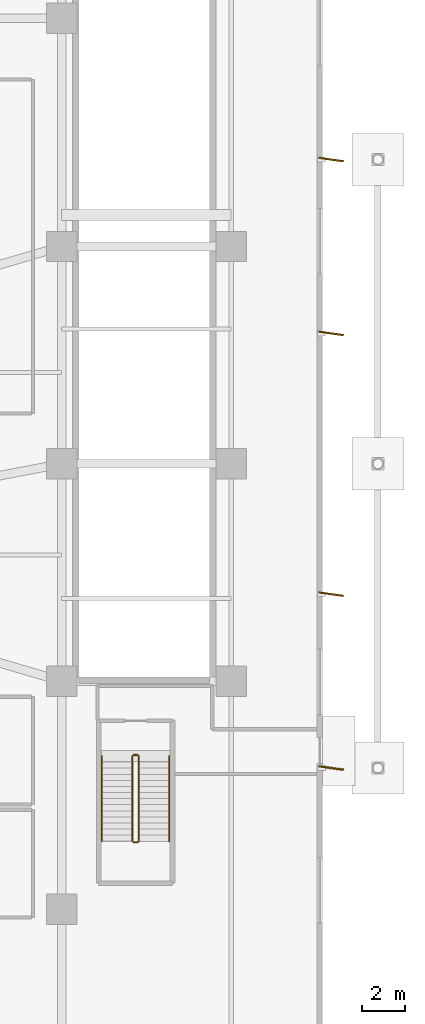
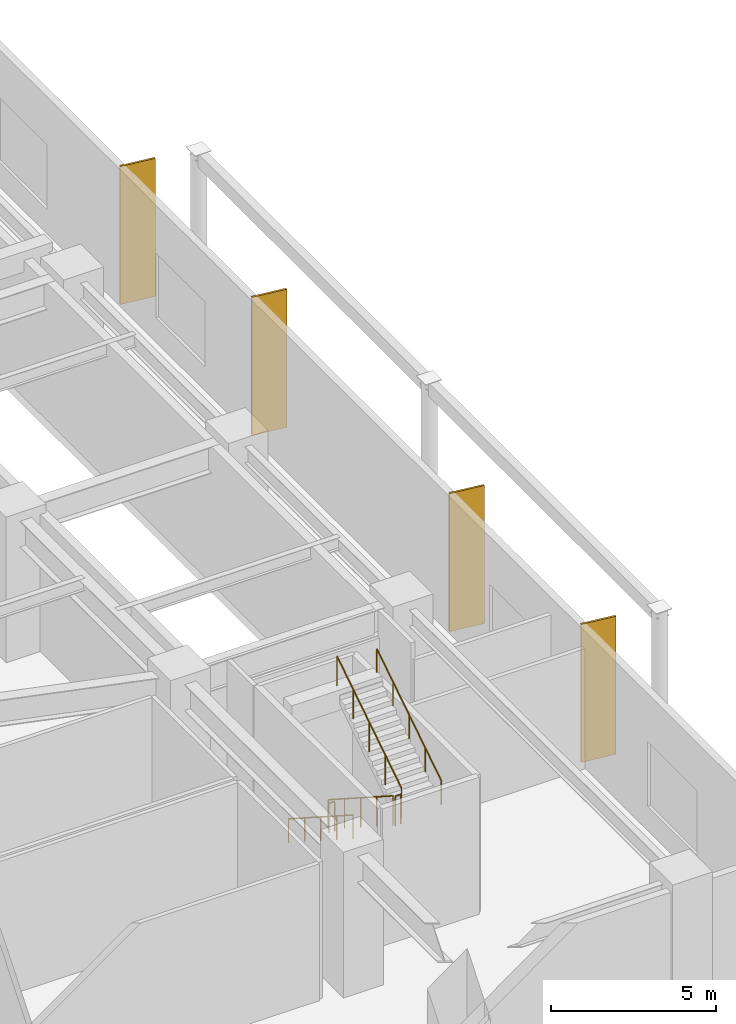
# One storey, part 19 of 20: 6 railings, 4 shading devices.
"""IFC4 building model written with IfcOpenShell, lengths in metres."""

from ifc_helpers import new_model, si_unit, direction, frame, origin, origin_2d, place, context, subcontext, project, spatial, rectangle, circle, extrude, material, layer, layer_set, type_object, element, save


model = new_model("IFC4")

# Units and contexts
model_context = context("Model", 3, precision=1e-05, world=origin(), true_north=direction((0.0, 1.0)))
body_context = subcontext(model_context, "Body", "Model", "MODEL_VIEW")
ifc_project = project(units=[si_unit("LENGTHUNIT", "METRE"), si_unit("AREAUNIT", "SQUARE_METRE"), si_unit("VOLUMEUNIT", "CUBIC_METRE"), si_unit("PLANEANGLEUNIT", "RADIAN"), si_unit("MASSUNIT", "GRAM", prefix="KILO")], contexts=[model_context])

# Site, building, storey
site_placement = place(None, origin())
site = spatial("IfcSite", under=ifc_project, at=site_placement, CompositionType="ELEMENT")
building_placement = place(site_placement, origin())
building = spatial("IfcBuilding", under=site, at=building_placement, Name="Solmarez Civic Tower", CompositionType="ELEMENT")
storey_placement = place(building_placement, origin())
storey = spatial("IfcBuildingStorey", under=building, at=storey_placement, Name="L00", CompositionType="ELEMENT", Elevation=0.0)

# Shading devices
ifc_material_1 = material(Name="Bronze Anodised Aluminium EN AW-6063 T6", Category="aluminium")
ifc_layer = layer(ifc_material_1, 0.070068359375)
ifc_layer_set = layer_set([ifc_layer], Name="Bronze Anodised Aluminium EN AW-6063 T6")
shading_device_type = type_object("IfcShadingDeviceType", Name="FIN-BRONZE-POD", PredefinedType="USERDEFINED", material=ifc_layer_set)
for number, where, z_axis, x_axis, name in (
    (1, (36.39501953125, -14.0, -0.0400390625), (0.0, 0.0, 1.0), (0.990983199715, -0.133986185418, 0.0), "L00 Anodised Bronze Solar Fin FIN-L00-E1"),
    (2, (36.39501953125, -6.0, -0.0400390625), (0.0, 0.0, 1.0), (0.990983199715, -0.133986185418, 0.0), "L00 Anodised Bronze Solar Fin FIN-L00-E2"),
    (3, (36.39501953125, 6.0, -0.0400390625), (0.0, 0.0, 1.0), (0.990983199715, -0.133986185418, 0.0), "L00 Anodised Bronze Solar Fin FIN-L00-E3"),
    (4, (36.39501953125, 14.0, -0.0400390625), (0.0, 0.0, 1.0), (0.990983199715, -0.133986185418, 0.0), "L00 Anodised Bronze Solar Fin FIN-L00-E4"),
):
    element("IfcShadingDevice", number, at=place(storey_placement, frame(where, z_axis=z_axis, x_axis=x_axis)), inside=storey, type_object=shading_device_type, Name=name, ObjectType="FIN", PredefinedType="USERDEFINED", context=body_context, shape_type="SweptSolid", body=[
        extrude(rectangle(XDim=1.14990234375, YDim=0.070068359375, at=origin_2d()), origin(), (0.0, 0.0, 1.0), 5.1201171875),
    ])

# Railings
ifc_material_2 = material(Name="Painted Steel Stairwell Safety Guard", Category="steel")
railing_type_1 = type_object("IfcRailingType", Name="GUARD-STAIR-1120", PredefinedType="BALUSTRADE", material=ifc_material_2)
railing_1_placement = place(storey_placement, frame((27.25, -13.449951171875, 0.179931640625)))
element("IfcRailing", 5, at=railing_1_placement, inside=storey, type_object=railing_type_1, Name="L00 ST-P2 stair guard 1", PredefinedType="BALUSTRADE", context=body_context, shape_type="SweptSolid", body=[
    extrude(circle(Radius=0.02392578125, at=origin_2d()), frame((0.0, 0.0, 1.09619140625), z_axis=(0.0, -0.841186985886, 0.540744352514), x_axis=(1.0, 0.0, 0.0)), (0.0, 0.0, 1.0), 4.660400390625),
    extrude(circle(Radius=0.02099609375, at=origin_2d()), origin(), (0.0, 0.0, 1.0), 1.072021484375),
    extrude(circle(Radius=0.02099609375, at=origin_2d()), frame((0.0, -0.97998046875, 0.6298828125)), (0.0, 0.0, 1.0), 1.072021484375),
    extrude(circle(Radius=0.02099609375, at=origin_2d()), frame((0.0, -1.9599609375, 1.260009765625)), (0.0, 0.0, 1.0), 1.072021484375),
    extrude(circle(Radius=0.02099609375, at=origin_2d()), frame((0.0, -2.940185546875, 1.89013671875)), (0.0, 0.0, 1.0), 1.072021484375),
    extrude(circle(Radius=0.02099609375, at=origin_2d()), frame((0.0, -3.920166015625, 2.52001953125)), (0.0, 0.0, 1.0), 1.072021484375),
])
railing_2_placement = place(storey_placement, frame((27.300048828125, -17.419921875, 2.699951171875)))
element("IfcRailing", 6, at=railing_2_placement, inside=storey, type_object=railing_type_1, Name="L00 ST-P2 stair guard 2", PredefinedType="BALUSTRADE", context=body_context, shape_type="SweptSolid", body=[
    extrude(circle(Radius=0.02392578125, at=origin_2d()), frame((0.0, 0.0, 1.09619140625), z_axis=(1.0, 0.0, 0.0), x_axis=(0.0, 1.0, 0.0)), (0.0, 0.0, 1.0), 0.199951171875),
    extrude(circle(Radius=0.02099609375, at=origin_2d()), origin(), (0.0, 0.0, 1.0), 1.072021484375),
    extrude(circle(Radius=0.02099609375, at=origin_2d()), frame((0.199951171875, 0.0, 0.0)), (0.0, 0.0, 1.0), 1.072021484375),
])
railing_3_placement = place(storey_placement, frame((27.550048828125, -17.3701171875, 2.8798828125)))
element("IfcRailing", 7, at=railing_3_placement, inside=storey, type_object=railing_type_1, Name="L00 ST-P2 stair guard 3", PredefinedType="BALUSTRADE", context=body_context, shape_type="SweptSolid", body=[
    extrude(circle(Radius=0.02392578125, at=origin_2d()), frame((0.0, 0.0, 1.09619140625), z_axis=(0.0, 0.841186985886, 0.540744352514), x_axis=(-1.0, 0.0, 0.0)), (0.0, 0.0, 1.0), 4.660400390625),
    extrude(circle(Radius=0.02099609375, at=origin_2d()), origin(), (0.0, 0.0, 1.0), 1.072021484375),
    extrude(circle(Radius=0.02099609375, at=origin_2d()), frame((0.0, 0.97998046875, 0.6298828125)), (0.0, 0.0, 1.0), 1.072021484375),
    extrude(circle(Radius=0.02099609375, at=origin_2d()), frame((0.0, 1.9599609375, 1.260009765625)), (0.0, 0.0, 1.0), 1.072021484375),
    extrude(circle(Radius=0.02099609375, at=origin_2d()), frame((0.0, 2.940185546875, 1.89013671875)), (0.0, 0.0, 1.0), 1.072021484375),
    extrude(circle(Radius=0.02099609375, at=origin_2d()), frame((0.0, 3.920166015625, 2.52001953125)), (0.0, 0.0, 1.0), 1.072021484375),
])
railing_4_placement = place(storey_placement, frame((27.300048828125, -13.39990234375, 0.0)))
element("IfcRailing", 8, at=railing_4_placement, inside=storey, type_object=railing_type_1, Name="L00 ST-P2 stair guard 4", PredefinedType="BALUSTRADE", context=body_context, shape_type="SweptSolid", body=[
    extrude(circle(Radius=0.02392578125, at=origin_2d()), frame((0.0, 0.0, 1.09619140625), z_axis=(1.0, 0.0, 0.0), x_axis=(0.0, 1.0, 0.0)), (0.0, 0.0, 1.0), 0.199951171875),
    extrude(circle(Radius=0.02099609375, at=origin_2d()), origin(), (0.0, 0.0, 1.0), 1.072021484375),
    extrude(circle(Radius=0.02099609375, at=origin_2d()), frame((0.199951171875, 0.0, 0.0)), (0.0, 0.0, 1.0), 1.072021484375),
])
ifc_material_3 = material(Name="Brushed Stainless Steel Tube Handrail", Category="steel")
railing_type_2 = type_object("IfcRailingType", Name="HANDRAIL-STAIR-900", PredefinedType="HANDRAIL", material=ifc_material_3)
railing_5_placement = place(storey_placement, frame((25.85009765625, -13.449951171875, 0.179931640625)))
element("IfcRailing", 9, at=railing_5_placement, inside=storey, type_object=railing_type_2, Name="L00 ST-P2 stair handrail 1", PredefinedType="HANDRAIL", context=body_context, shape_type="SweptSolid", body=[
    extrude(circle(Radius=0.02392578125, at=origin_2d()), frame((0.0, 0.0, 0.8759765625), z_axis=(0.0, -0.841186985886, 0.540744352514), x_axis=(1.0, 0.0, 0.0)), (0.0, 0.0, 1.0), 4.660400390625),
    extrude(circle(Radius=0.02099609375, at=origin_2d()), origin(), (0.0, 0.0, 1.0), 0.851806640625),
    extrude(circle(Radius=0.02099609375, at=origin_2d()), frame((0.0, -0.97998046875, 0.6298828125)), (0.0, 0.0, 1.0), 0.851806640625),
    extrude(circle(Radius=0.02099609375, at=origin_2d()), frame((0.0, -1.9599609375, 1.260009765625)), (0.0, 0.0, 1.0), 0.851806640625),
    extrude(circle(Radius=0.02099609375, at=origin_2d()), frame((0.0, -2.940185546875, 1.89013671875)), (0.0, 0.0, 1.0), 0.851806640625),
    extrude(circle(Radius=0.02099609375, at=origin_2d()), frame((0.0, -3.920166015625, 2.52001953125)), (0.0, 0.0, 1.0), 0.851806640625),
])
railing_6_placement = place(storey_placement, frame((28.949951171875, -17.3701171875, 2.8798828125)))
element("IfcRailing", 10, at=railing_6_placement, inside=storey, type_object=railing_type_2, Name="L00 ST-P2 stair handrail 2", PredefinedType="HANDRAIL", context=body_context, shape_type="SweptSolid", body=[
    extrude(circle(Radius=0.02392578125, at=origin_2d()), frame((0.0, 0.0, 0.8759765625), z_axis=(0.0, 0.841186985886, 0.540744352514), x_axis=(-1.0, 0.0, 0.0)), (0.0, 0.0, 1.0), 4.660400390625),
    extrude(circle(Radius=0.02099609375, at=origin_2d()), origin(), (0.0, 0.0, 1.0), 0.851806640625),
    extrude(circle(Radius=0.02099609375, at=origin_2d()), frame((0.0, 0.97998046875, 0.6298828125)), (0.0, 0.0, 1.0), 0.851806640625),
    extrude(circle(Radius=0.02099609375, at=origin_2d()), frame((0.0, 1.9599609375, 1.260009765625)), (0.0, 0.0, 1.0), 0.851806640625),
    extrude(circle(Radius=0.02099609375, at=origin_2d()), frame((0.0, 2.940185546875, 1.89013671875)), (0.0, 0.0, 1.0), 0.851806640625),
    extrude(circle(Radius=0.02099609375, at=origin_2d()), frame((0.0, 3.920166015625, 2.52001953125)), (0.0, 0.0, 1.0), 0.851806640625),
])

save(model, "model.ifc")
